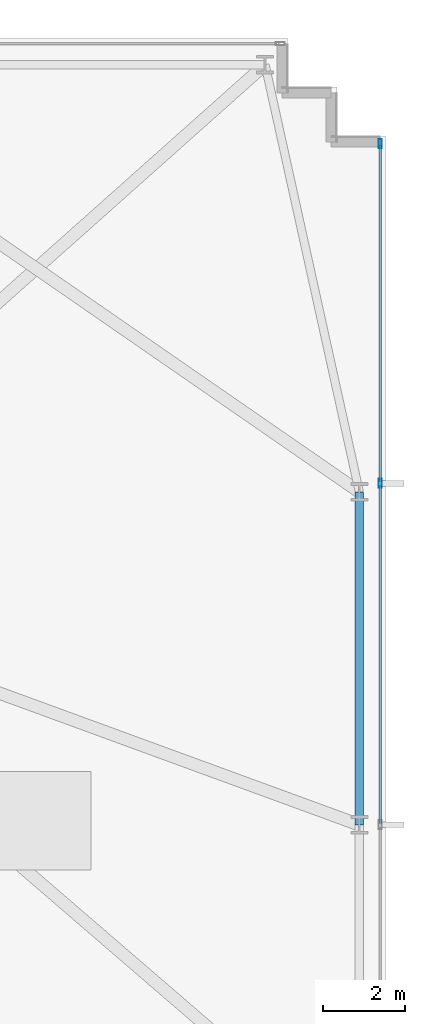
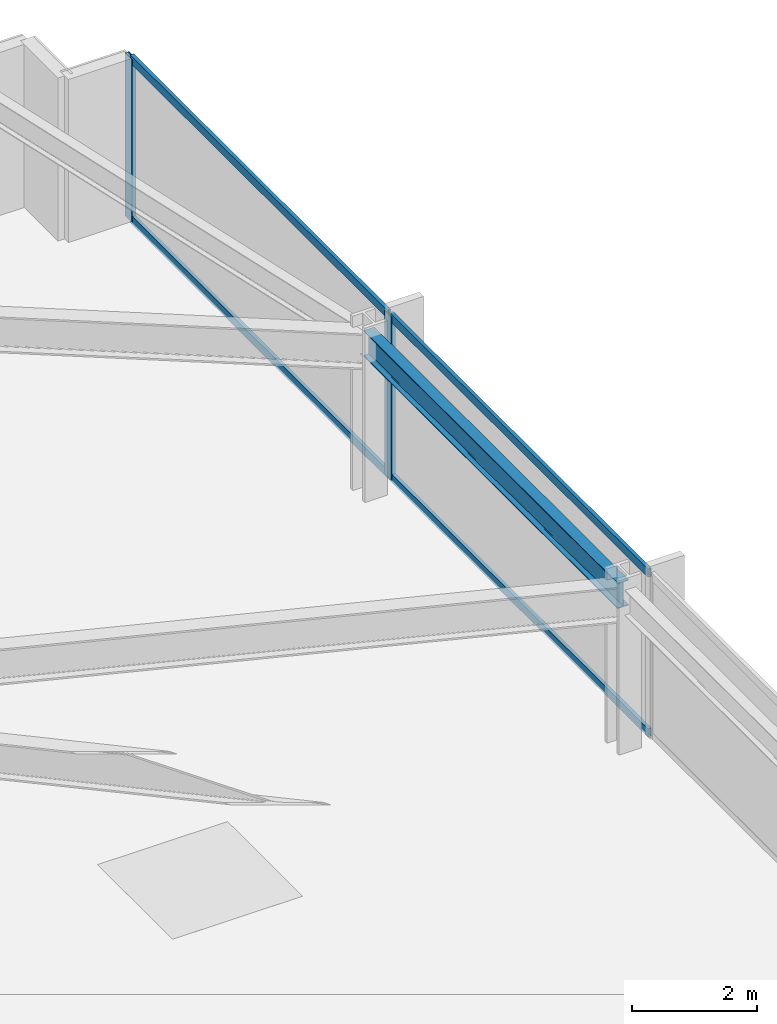
# One storey, part 22 of 31: 6 members, 1 beam, 1 element without a shape of its own.
"""IFC4 building model written with IfcOpenShell, lengths in metres."""

from ifc_helpers import new_model, si_unit, direction, frame, origin, origin_2d, place, context, subcontext, project, spatial, hollow_rectangle, i_section, extrude, material, material_profile, profile_set, type_object, element, aggregate, save


model = new_model("IFC4")

# Units and contexts
model_context = context("Model", 3, precision=1e-05, world=origin(), true_north=direction((0.0, 1.0)))
body_context = subcontext(model_context, "Body", "Model", "MODEL_VIEW")
ifc_project = project(units=[si_unit("LENGTHUNIT", "METRE"), si_unit("AREAUNIT", "SQUARE_METRE"), si_unit("VOLUMEUNIT", "CUBIC_METRE"), si_unit("PLANEANGLEUNIT", "RADIAN"), si_unit("MASSUNIT", "GRAM", prefix="KILO")], contexts=[model_context])

# Site, building, storey
site_placement = place(None, origin())
site = spatial("IfcSite", under=ifc_project, at=site_placement, CompositionType="ELEMENT")
building_placement = place(site_placement, origin())
building = spatial("IfcBuilding", under=site, at=building_placement, Name="Yelkora Congress Tower", CompositionType="ELEMENT")
storey_placement = place(building_placement, frame((0.0, 0.0, 30.39990234375)))
storey = spatial("IfcBuildingStorey", under=building, at=storey_placement, Name="L06", CompositionType="ELEMENT", Elevation=30.39990234375)

# Beam
ifc_material_1 = material(Name="Steel S355J2", Category="steel")
ifc_material_profile_1 = material_profile(ifc_material_1, i_section(OverallWidth=0.199951171875, OverallDepth=0.5, WebThickness=0.01025390625, FlangeThickness=0.01611328125, FilletRadius=0.02099609375, at=origin_2d()), Name="IPE 500")
ifc_profile_set_1 = profile_set([ifc_material_profile_1], Name="Steel S355J2")
beam_type = type_object("IfcBeamType", Name="BM-SPAN-IPE500", PredefinedType="SPANDREL", material=ifc_profile_set_1)
beam_placement = place(storey_placement, frame((70.14990234375, 29.39990234375, 2.93017578125), z_axis=(0.0, 1.0, 0.0), x_axis=(-1.0, 0.0, 0.0)))
element("IfcBeam", 1, at=beam_placement, inside=storey, type_object=beam_type, Name="L06 Perimeter Beam 12", PredefinedType="SPANDREL", context=body_context, shape_type="SweptSolid", body=[
    extrude(i_section(OverallWidth=0.199951171875, OverallDepth=0.5, WebThickness=0.01025390625, FlangeThickness=0.01611328125, FilletRadius=0.02099609375, at=origin_2d()), origin(), (0.0, 0.0, 1.0), 8.125),
])

# Curtain wall, members
ifc_material_2 = material(Name="Anodised aluminium and insulated glass", Category="aluminium")
curtain_wall_type = type_object("IfcCurtainWallType", Name="CW-SYS-B1", PredefinedType="NOTDEFINED", material=ifc_material_2)
curtain_wall_placement = place(storey_placement, origin())
curtain_wall = element("IfcCurtainWall", 2, at=curtain_wall_placement, inside=storey, type_object=curtain_wall_type, Name="L06 Unitised Curtain Wall 15", PredefinedType="NOTDEFINED")
ifc_material_3 = material(Name="Anodised aluminium 6063-T6", Category="aluminium")
ifc_material_profile_2 = material_profile(ifc_material_3, hollow_rectangle(XDim=0.074951171875, YDim=0.219970703125, WallThickness=0.0048828125, at=origin_2d()), Name="ALU 75x220x5")
ifc_profile_set_2 = profile_set([ifc_material_profile_2], Name="Anodised aluminium 6063-T6")
member_type_1 = type_object("IfcMemberType", Name="MEM-ML-B1", PredefinedType="MULLION", material=ifc_profile_set_2)
member_1_placement = place(storey_placement, frame((70.659912109375, 46.0224609375, 0.0), z_axis=(0.0, 0.0, 1.0), x_axis=(1.0, 0.0, 0.0)))
member_1 = element("IfcMember", 3, at=member_1_placement, type_object=member_type_1, Name="CW-B1 mullion 1", PredefinedType="MULLION", context=body_context, shape_type="SweptSolid", body=[
    extrude(hollow_rectangle(XDim=0.074951171875, YDim=0.219970703125, WallThickness=0.0048828125, at=origin_2d()), origin(), (0.0, 0.0, 1.0), 3.18017578125),
])
member_2_placement = place(storey_placement, frame((70.659912109375, 37.72998046875, 0.0), z_axis=(0.0, 0.0, 1.0), x_axis=(1.0, 0.0, 0.0)))
member_2 = element("IfcMember", 4, at=member_2_placement, type_object=member_type_1, Name="CW-B1 mullion 2", PredefinedType="MULLION", context=body_context, shape_type="SweptSolid", body=[
    extrude(hollow_rectangle(XDim=0.074951171875, YDim=0.219970703125, WallThickness=0.0048828125, at=origin_2d()), origin(), (0.0, 0.0, 1.0), 3.18017578125),
])
ifc_material_profile_3 = material_profile(ifc_material_3, hollow_rectangle(XDim=0.06494140625, YDim=0.159912109375, WallThickness=0.00390625, at=origin_2d()), Name="ALU 65x160x4")
ifc_profile_set_3 = profile_set([ifc_material_profile_3], Name="Anodised aluminium 6063-T6")
member_type_2 = type_object("IfcMemberType", Name="MEM-TR-B1", PredefinedType="USERDEFINED", material=ifc_profile_set_3)
member_3_placement = place(storey_placement, frame((70.659912109375, 45.985107421875, 0.03271484375), z_axis=(0.0, -1.0, 0.0), x_axis=(1.0, 0.0, 0.0)))
member_3 = element("IfcMember", 5, at=member_3_placement, type_object=member_type_2, Name="CW-B1 transom 1.1", ObjectType="TRANSOM", PredefinedType="USERDEFINED", context=body_context, shape_type="SweptSolid", body=[
    extrude(hollow_rectangle(XDim=0.06494140625, YDim=0.159912109375, WallThickness=0.00390625, at=origin_2d()), origin(), (0.0, 0.0, 1.0), 8.217529296875),
])
member_4_placement = place(storey_placement, frame((70.659912109375, 45.985107421875, 3.147705078125), z_axis=(0.0, -1.0, 0.0), x_axis=(1.0, 0.0, 0.0)))
member_4 = element("IfcMember", 6, at=member_4_placement, type_object=member_type_2, Name="CW-B1 transom 1.2", ObjectType="TRANSOM", PredefinedType="USERDEFINED", context=body_context, shape_type="SweptSolid", body=[
    extrude(hollow_rectangle(XDim=0.06494140625, YDim=0.159912109375, WallThickness=0.00390625, at=origin_2d()), origin(), (0.0, 0.0, 1.0), 8.217529296875),
])
member_5_placement = place(storey_placement, frame((70.659912109375, 37.6923828125, 0.03271484375), z_axis=(0.0, -1.0, 0.0), x_axis=(1.0, 0.0, 0.0)))
member_5 = element("IfcMember", 7, at=member_5_placement, type_object=member_type_2, Name="CW-B1 transom 2.1", ObjectType="TRANSOM", PredefinedType="USERDEFINED", context=body_context, shape_type="SweptSolid", body=[
    extrude(hollow_rectangle(XDim=0.06494140625, YDim=0.159912109375, WallThickness=0.00390625, at=origin_2d()), origin(), (0.0, 0.0, 1.0), 8.2548828125),
])
member_6_placement = place(storey_placement, frame((70.659912109375, 37.6923828125, 3.147705078125), z_axis=(0.0, -1.0, 0.0), x_axis=(1.0, 0.0, 0.0)))
member_6 = element("IfcMember", 8, at=member_6_placement, type_object=member_type_2, Name="CW-B1 transom 2.2", ObjectType="TRANSOM", PredefinedType="USERDEFINED", context=body_context, shape_type="SweptSolid", body=[
    extrude(hollow_rectangle(XDim=0.06494140625, YDim=0.159912109375, WallThickness=0.00390625, at=origin_2d()), origin(), (0.0, 0.0, 1.0), 8.2548828125),
])
aggregate(curtain_wall, [member_1, member_2, member_3, member_4, member_5, member_6])

save(model, "model.ifc")
